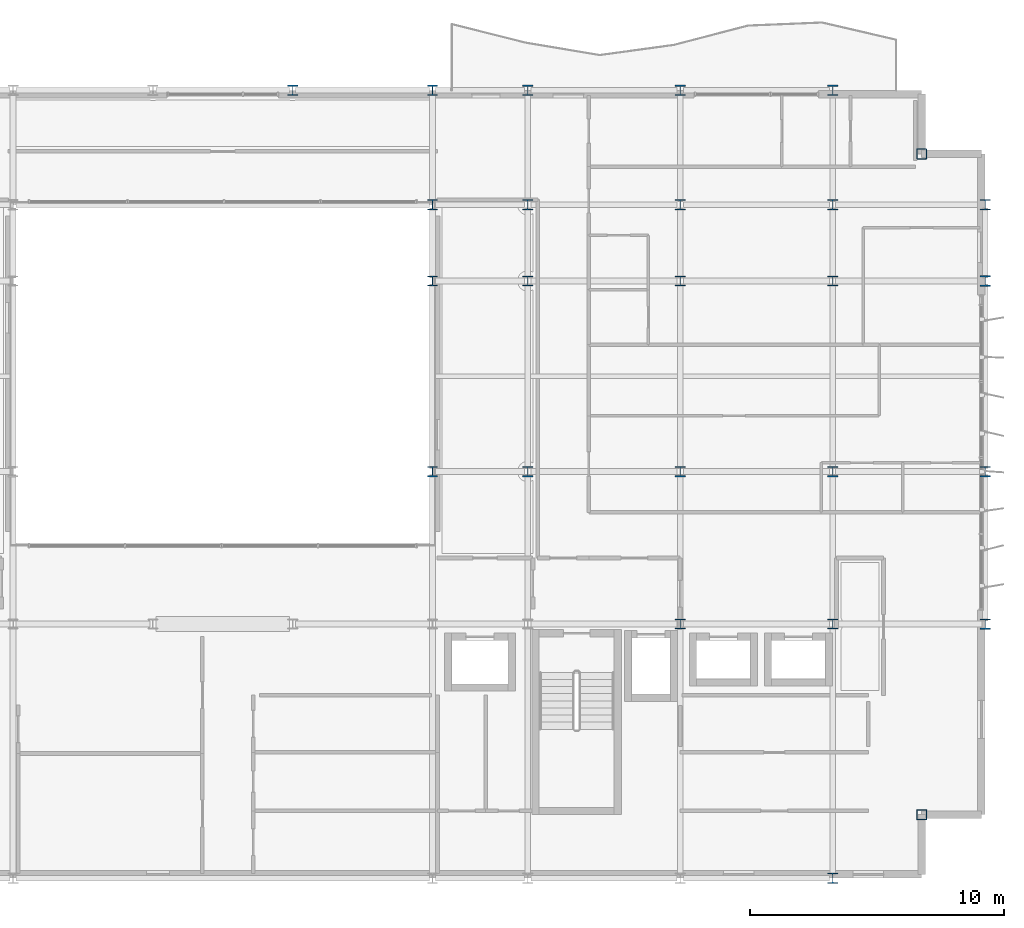
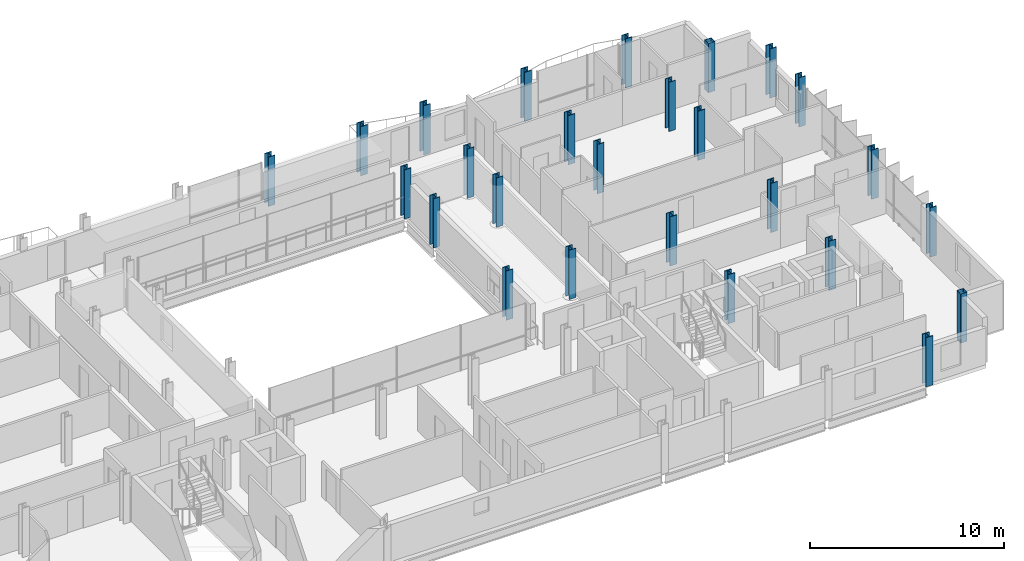
# One storey, part 2 of 39: 26 columns.
"""IFC4 building model written with IfcOpenShell, lengths in metres."""

from ifc_helpers import new_model, si_unit, direction, frame, origin, origin_2d, place, context, subcontext, project, spatial, hollow_rectangle, i_section, extrude, material, material_profile, profile_set, type_object, element, save


model = new_model("IFC4")

# Units and contexts
model_context = context("Model", 3, precision=1e-05, world=origin(), true_north=direction((0.0, 1.0)))
body_context = subcontext(model_context, "Body", "Model", "MODEL_VIEW")
ifc_project = project(units=[si_unit("LENGTHUNIT", "METRE"), si_unit("AREAUNIT", "SQUARE_METRE"), si_unit("VOLUMEUNIT", "CUBIC_METRE"), si_unit("PLANEANGLEUNIT", "RADIAN"), si_unit("MASSUNIT", "GRAM", prefix="KILO")], contexts=[model_context])

# Site, building, storey
site_placement = place(None, origin())
site = spatial("IfcSite", under=ifc_project, at=site_placement, CompositionType="ELEMENT")
building_placement = place(site_placement, origin())
building = spatial("IfcBuilding", under=site, at=building_placement, Name="Brevholm Reach", CompositionType="ELEMENT")
storey_placement = place(building_placement, frame((0.0, 0.0, 154.199951171875)))
storey = spatial("IfcBuildingStorey", under=building, at=storey_placement, Name="L46", CompositionType="ELEMENT", Elevation=154.199951171875)

# Columns
ifc_material_1 = material(Name="Structural Steel S460NH", Category="steel")
ifc_material_profile_1 = material_profile(ifc_material_1, hollow_rectangle(XDim=0.39990234375, YDim=0.39990234375, WallThickness=0.02001953125, InnerFilletRadius=0.011962890625, OuterFilletRadius=0.02392578125, at=origin_2d()), Name="SHS 400x400x20")
ifc_profile_set_1 = profile_set([ifc_material_profile_1], Name="Structural Steel S460NH")
column_type_1 = type_object("IfcColumnType", Name="COL-SHS2", PredefinedType="COLUMN", material=ifc_profile_set_1)
for number, where, z_axis, x_axis, name in (
    (1, (57.5, 2.5, 0.0), (0.0, 0.0, 1.0), (1.0, 0.0, 0.0), "L46 Column 59"),
    (2, (57.5, 28.5, 0.0), (0.0, 0.0, 1.0), (1.0, 0.0, 0.0), "L46 Column 60"),
):
    element("IfcColumn", number, at=place(storey_placement, frame(where, z_axis=z_axis, x_axis=x_axis)), inside=storey, type_object=column_type_1, Name=name, PredefinedType="COLUMN", context=body_context, shape_type="SweptSolid", body=[
        extrude(hollow_rectangle(XDim=0.39990234375, YDim=0.39990234375, WallThickness=0.02001953125, InnerFilletRadius=0.011962890625, OuterFilletRadius=0.02392578125, at=origin_2d()), origin(), (0.0, 0.0, 1.0), 3.10009765625),
    ])
ifc_material_2 = material(Name="Structural Steel S355J2", Category="steel")
ifc_material_profile_2 = material_profile(ifc_material_2, i_section(OverallWidth=0.406982421875, OverallDepth=0.4189453125, WebThickness=0.030517578125, FlangeThickness=0.04931640625, FilletRadius=0.01513671875, at=origin_2d()), Name="UKC 356x406x393")
ifc_profile_set_2 = profile_set([ifc_material_profile_2], Name="Structural Steel S355J2")
column_type_2 = type_object("IfcColumnType", Name="COL-UC4", PredefinedType="COLUMN", material=ifc_profile_set_2)
for number, where, z_axis, x_axis, name in (
    (3, (32.75, 31.0, 0.0), (0.0, 0.0, 1.0), (1.0, 0.0, 0.0), "L46 Column 34"),
    (4, (38.25, 31.0, 0.0), (0.0, 0.0, 1.0), (1.0, 0.0, 0.0), "L46 Column 40"),
    (5, (42.0, 31.0, 0.0), (0.0, 0.0, 1.0), (1.0, 0.0, 0.0), "L46 Column 46"),
    (6, (48.0, 31.0, 0.0), (0.0, 0.0, 1.0), (1.0, 0.0, 0.0), "L46 Column 52"),
    (7, (54.0, 0.0, 0.0), (0.0, 0.0, 1.0), (1.0, 0.0, 0.0), "L46 Column 53"),
    (8, (54.0, 31.0, 0.0), (0.0, 0.0, 1.0), (1.0, 0.0, 0.0), "L46 Column 58"),
    (9, (60.0, 10.0, 0.0), (0.0, 0.0, 1.0), (1.0, 0.0, 0.0), "L46 Column 61"),
    (10, (60.0, 16.0, 0.0), (0.0, 0.0, 1.0), (1.0, 0.0, 0.0), "L46 Column 62"),
    (11, (60.0, 23.5, 0.0), (0.0, 0.0, 1.0), (1.0, 0.0, 0.0), "L46 Column 63"),
    (12, (60.0, 26.5, 0.0), (0.0, 0.0, 1.0), (1.0, 0.0, 0.0), "L46 Column 64"),
):
    element("IfcColumn", number, at=place(storey_placement, frame(where, z_axis=z_axis, x_axis=x_axis)), inside=storey, type_object=column_type_2, Name=name, PredefinedType="COLUMN", context=body_context, shape_type="SweptSolid", body=[
        extrude(i_section(OverallWidth=0.406982421875, OverallDepth=0.4189453125, WebThickness=0.030517578125, FlangeThickness=0.04931640625, FilletRadius=0.01513671875, at=origin_2d()), origin(), (0.0, 0.0, 1.0), 3.10009765625),
    ])
ifc_material_3 = material(Name="Structural Steel S355J2", Category="steel")
ifc_material_profile_3 = material_profile(ifc_material_3, i_section(OverallWidth=0.403076171875, OverallDepth=0.406494140625, WebThickness=0.026611328125, FlangeThickness=0.04296875, FilletRadius=0.01513671875, at=origin_2d()), Name="UKC 356x406x340")
ifc_profile_set_3 = profile_set([ifc_material_profile_3], Name="Structural Steel S355J2")
column_type_3 = type_object("IfcColumnType", Name="COL-UC5", PredefinedType="COLUMN", material=ifc_profile_set_3)
for number, where, z_axis, x_axis, name in (
    (13, (38.25, 16.0, 0.0), (0.0, 0.0, 1.0), (1.0, 0.0, 0.0), "L46 Column 37"),
    (14, (38.25, 23.5, 0.0), (0.0, 0.0, 1.0), (1.0, 0.0, 0.0), "L46 Column 38"),
    (15, (38.25, 26.5, 0.0), (0.0, 0.0, 1.0), (1.0, 0.0, 0.0), "L46 Column 39"),
    (16, (42.0, 16.0, 0.0), (0.0, 0.0, 1.0), (1.0, 0.0, 0.0), "L46 Column 43"),
    (17, (42.0, 23.5, 0.0), (0.0, 0.0, 1.0), (1.0, 0.0, 0.0), "L46 Column 44"),
    (18, (42.0, 26.5, 0.0), (0.0, 0.0, 1.0), (1.0, 0.0, 0.0), "L46 Column 45"),
    (19, (48.0, 10.0, 0.0), (0.0, 0.0, 1.0), (1.0, 0.0, 0.0), "L46 Column 48"),
    (20, (48.0, 16.0, 0.0), (0.0, 0.0, 1.0), (1.0, 0.0, 0.0), "L46 Column 49"),
    (21, (48.0, 23.5, 0.0), (0.0, 0.0, 1.0), (1.0, 0.0, 0.0), "L46 Column 50"),
    (22, (48.0, 26.5, 0.0), (0.0, 0.0, 1.0), (1.0, 0.0, 0.0), "L46 Column 51"),
    (23, (54.0, 10.0, 0.0), (0.0, 0.0, 1.0), (1.0, 0.0, 0.0), "L46 Column 54"),
    (24, (54.0, 16.0, 0.0), (0.0, 0.0, 1.0), (1.0, 0.0, 0.0), "L46 Column 55"),
    (25, (54.0, 23.5, 0.0), (0.0, 0.0, 1.0), (1.0, 0.0, 0.0), "L46 Column 56"),
    (26, (54.0, 26.5, 0.0), (0.0, 0.0, 1.0), (1.0, 0.0, 0.0), "L46 Column 57"),
):
    element("IfcColumn", number, at=place(storey_placement, frame(where, z_axis=z_axis, x_axis=x_axis)), inside=storey, type_object=column_type_3, Name=name, PredefinedType="COLUMN", context=body_context, shape_type="SweptSolid", body=[
        extrude(i_section(OverallWidth=0.403076171875, OverallDepth=0.406494140625, WebThickness=0.026611328125, FlangeThickness=0.04296875, FilletRadius=0.01513671875, at=origin_2d()), origin(), (0.0, 0.0, 1.0), 3.10009765625),
    ])

save(model, "model.ifc")
